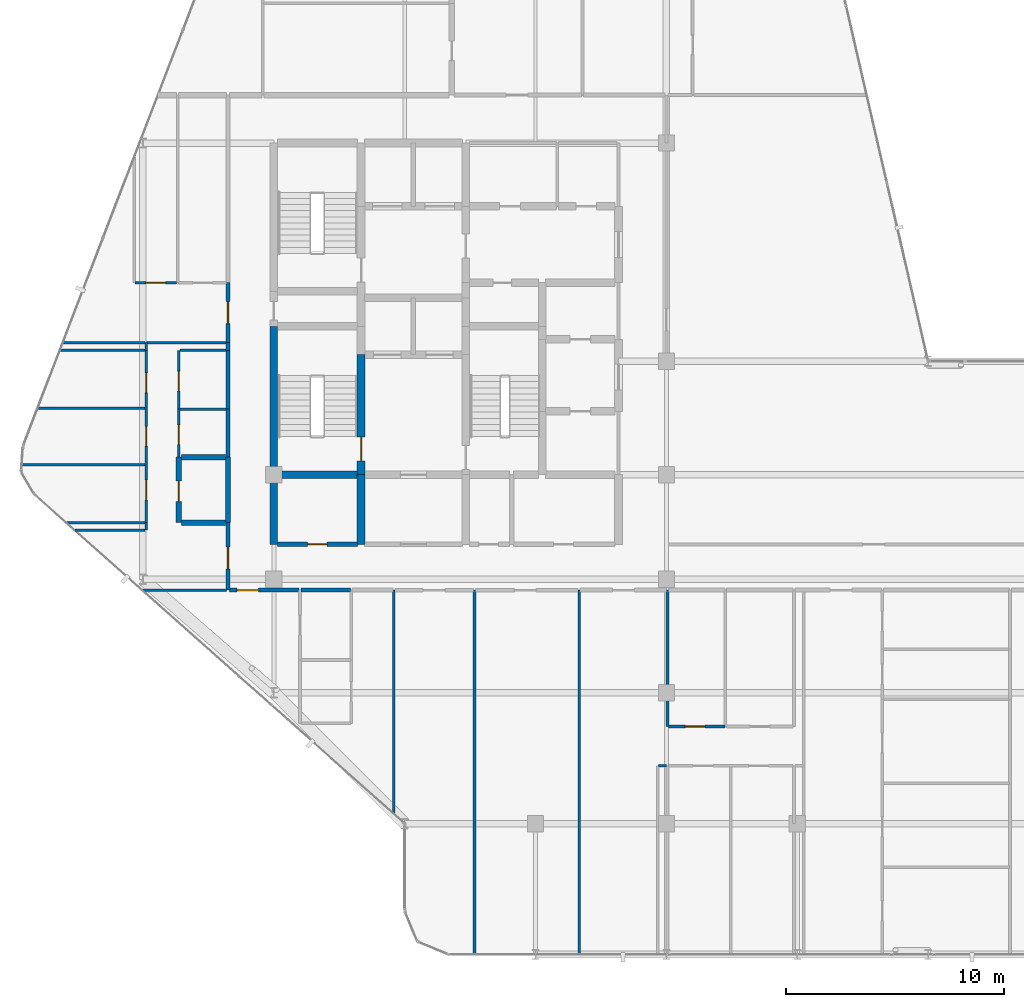
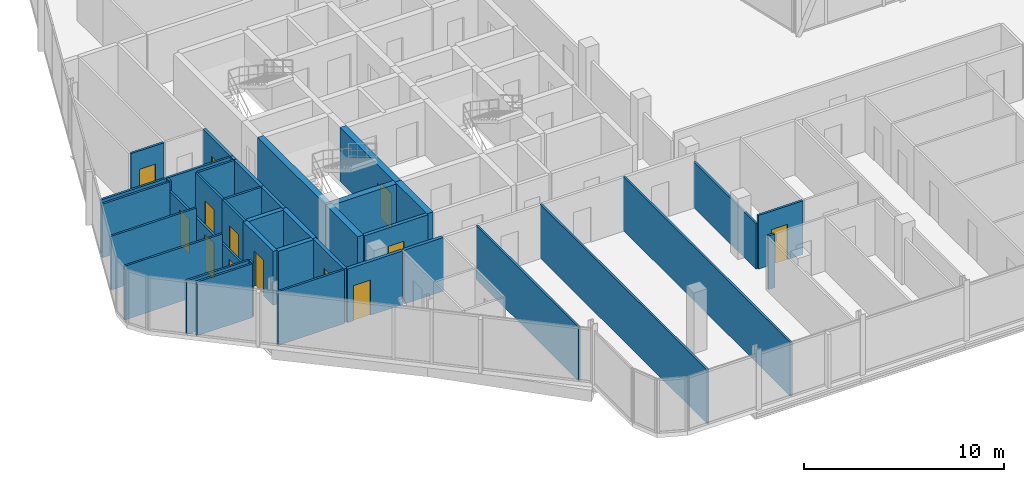
# One storey, part 23 of 28: 39 walls, 13 doors, 13 openings.
"""IFC4 building model written with IfcOpenShell, lengths in metres."""

from ifc_helpers import new_model, si_unit, direction, frame, frame_2d, origin, place, context, subcontext, project, spatial, rectangle, extrude, material, layer, layer_set, type_object, element, fill, save


model = new_model("IFC4")

# Units and contexts
model_context = context("Model", 3, precision=1e-05, world=origin(), true_north=direction((0.0, 1.0)))
body_context = subcontext(model_context, "Body", "Model", "MODEL_VIEW")
ifc_project = project(units=[si_unit("LENGTHUNIT", "METRE"), si_unit("AREAUNIT", "SQUARE_METRE"), si_unit("VOLUMEUNIT", "CUBIC_METRE"), si_unit("PLANEANGLEUNIT", "RADIAN"), si_unit("MASSUNIT", "GRAM", prefix="KILO")], contexts=[model_context])

# Site, building, storey
site_placement = place(None, origin())
site = spatial("IfcSite", under=ifc_project, at=site_placement, CompositionType="ELEMENT")
building_placement = place(site_placement, origin())
building = spatial("IfcBuilding", under=site, at=building_placement, Name="Keshet Zoharim Tower", CompositionType="ELEMENT")
storey_placement = place(building_placement, frame((0.0, 0.0, 233.89990234375)))
storey = spatial("IfcBuildingStorey", under=building, at=storey_placement, Name="L58", CompositionType="ELEMENT", Elevation=233.89990234375)

# Walls
ifc_material_1 = material(Name="Concrete C60/75", Category="concrete")
ifc_layer_1 = layer(ifc_material_1, 0.35009765625)
ifc_layer_set_1 = layer_set([ifc_layer_1], Name="Concrete C60/75")
wall_type_1 = type_object("IfcWallType", Name="WL-CORE-350", PredefinedType="SHEAR", material=ifc_layer_set_1)
wall_1_placement = place(storey_placement, frame((15.0, 19.5, 0.0), z_axis=(0.0, 0.0, 1.0), x_axis=(0.0, 1.0, 0.0)))
element("IfcWall", 1, at=wall_1_placement, inside=storey, type_object=wall_type_1, Name="L58 Core Shear Wall 018", PredefinedType="SHEAR", context=body_context, shape_type="SweptSolid", body=[
    extrude(rectangle(XDim=3.199951171875, YDim=0.35009765625, at=frame_2d((1.60009765625, 0.0))), origin(), (0.0, 0.0, 1.0), 3.280029296875),
])
wall_2_placement = place(storey_placement, frame((15.0, 22.699951171875, 0.0), z_axis=(0.0, 0.0, 1.0), x_axis=(0.0, 1.0, 0.0)))
element("IfcWall", 2, at=wall_2_placement, inside=storey, type_object=wall_type_1, Name="L58 Core Shear Wall 019", PredefinedType="SHEAR", context=body_context, shape_type="SweptSolid", body=[
    extrude(rectangle(XDim=6.800048828125, YDim=0.35009765625, at=frame_2d((3.39990234375, 0.0))), origin(), (0.0, 0.0, 1.0), 3.280029296875),
])
wall_3_placement = place(storey_placement, frame((19.0, 19.5, 0.0), z_axis=(0.0, 0.0, 1.0), x_axis=(0.0, 1.0, 0.0)))
element("IfcWall", 3, at=wall_3_placement, inside=storey, type_object=wall_type_1, Name="L58 Core Shear Wall 026", PredefinedType="SHEAR", context=body_context, shape_type="SweptSolid", body=[
    extrude(rectangle(XDim=3.199951171875, YDim=0.35009765625, at=frame_2d((1.60009765625, 0.0))), origin(), (0.0, 0.0, 1.0), 3.280029296875),
])

# Wall, opening, door
wall_4_placement = place(storey_placement, frame((19.0, 22.699951171875, 0.0), z_axis=(0.0, 0.0, 1.0), x_axis=(0.0, 1.0, 0.0)))
wall_4 = element("IfcWall", 4, at=wall_4_placement, inside=storey, type_object=wall_type_1, Name="L58 Core Shear Wall 027", PredefinedType="SHEAR", context=body_context, shape_type="SweptSolid", body=[
    extrude(rectangle(XDim=5.5, YDim=0.35009765625, at=frame_2d((2.75, 0.0))), origin(), (0.0, 0.0, 1.0), 3.280029296875),
])
opening_1_placement = place(wall_4_placement, frame((0.631103515625, 0.0, 0.0)))
opening_1 = element("IfcOpeningElement", 5, at=opening_1_placement, cuts=wall_4, Name="Opening D-F611", PredefinedType="OPENING", context=body_context, shape_type="SweptSolid", body=[
    extrude(rectangle(XDim=1.10009765625, YDim=2.14990234375, at=frame_2d((0.550048828125, 1.074951171875))), frame((0.0, 0.18505859375, 0.0), z_axis=(0.0, -1.0, 0.0), x_axis=(1.0, 0.0, 0.0)), (0.0, 0.0, 1.0), 0.3701171875),
])
ifc_material_2 = material(Name="Hardwood Timber", Category="wood")
door_type_1 = type_object("IfcDoorType", Name="DR-FD60-110", OperationType="NOTDEFINED", PredefinedType="DOOR", material=ifc_material_2)
door_1_placement = place(opening_1_placement, origin())
door_1 = element("IfcDoor", 6, at=door_1_placement, inside=storey, type_object=door_type_1, Name="L58 Exit Stair ST-01 Fire Door", OperationType="SINGLE_SWING_LEFT", OverallHeight=2.14990234375, OverallWidth=1.10009765625, PredefinedType="DOOR", context=body_context, shape_type="SweptSolid", body=[
    extrude(rectangle(XDim=1.10009765625, YDim=2.14990234375, at=frame_2d((0.550048828125, 1.074951171875))), frame((0.0, 0.02490234375, 0.0), z_axis=(0.0, -1.0, 0.0), x_axis=(1.0, 0.0, 0.0)), (0.0, 0.0, 1.0), 0.050048828125),
])
fill(opening_1, door_1)

# Wall
wall_5_placement = place(storey_placement, frame((15.159912109375, 22.699951171875, 0.0), z_axis=(0.0, 0.0, 1.0), x_axis=(1.0, 0.0, 0.0)))
element("IfcWall", 7, at=wall_5_placement, inside=storey, type_object=wall_type_1, Name="L58 Core Shear Wall 115", PredefinedType="SHEAR", context=body_context, shape_type="SweptSolid", body=[
    extrude(rectangle(XDim=3.68017578125, YDim=0.35009765625, at=frame_2d((1.840087890625, 0.0))), origin(), (0.0, 0.0, 1.0), 3.280029296875),
])

# Wall, opening, door
ifc_material_3 = material(Name="Gypsum Plasterboard", Category="gypsum")
ifc_layer_2 = layer(ifc_material_3, 0.179931640625)
ifc_layer_set_2 = layer_set([ifc_layer_2], Name="Gypsum Plasterboard")
wall_type_2 = type_object("IfcWallType", Name="WL-CORR-180", PredefinedType="STANDARD", material=ifc_layer_set_2)
wall_6_placement = place(storey_placement, frame((12.89990234375, 17.39990234375, 0.0), z_axis=(0.0, 0.0, 1.0), x_axis=(0.0, 1.0, 0.0)))
wall_6 = element("IfcWall", 8, at=wall_6_placement, inside=storey, type_object=wall_type_2, Name="L58 Interior Wall 009", PredefinedType="STANDARD", context=body_context, shape_type="SweptSolid", body=[
    extrude(rectangle(XDim=3.10009765625, YDim=0.179931640625, at=frame_2d((1.550048828125, 0.0))), origin(), (0.0, 0.0, 1.0), 3.280029296875),
])
opening_2_placement = place(wall_6_placement, frame((0.97802734375, 0.0, 0.0)))
opening_2 = element("IfcOpeningElement", 9, at=opening_2_placement, cuts=wall_6, Name="Opening D-F310", PredefinedType="OPENING", context=body_context, shape_type="SweptSolid", body=[
    extrude(rectangle(XDim=1.0, YDim=2.14990234375, at=frame_2d((0.5, 1.074951171875))), frame((0.0, 0.10009765625, 0.0), z_axis=(0.0, -1.0, 0.0), x_axis=(1.0, 0.0, 0.0)), (0.0, 0.0, 1.0), 0.199951171875),
])
door_type_2 = type_object("IfcDoorType", Name="DR-FD30-100", OperationType="NOTDEFINED", PredefinedType="DOOR", material=ifc_material_2)
door_2_placement = place(opening_2_placement, origin())
door_2 = element("IfcDoor", 10, at=door_2_placement, inside=storey, type_object=door_type_2, Name="Apartment 5806 Entrance Door", OperationType="SINGLE_SWING_RIGHT", OverallHeight=2.14990234375, OverallWidth=1.0, PredefinedType="DOOR", context=body_context, shape_type="SweptSolid", body=[
    extrude(rectangle(XDim=1.0, YDim=2.14990234375, at=frame_2d((0.5, 1.074951171875))), frame((0.0, 0.02490234375, 0.0), z_axis=(0.0, -1.0, 0.0), x_axis=(1.0, 0.0, 0.0)), (0.0, 0.0, 1.0), 0.050048828125),
])
fill(opening_2, door_2)

# Walls
wall_7_placement = place(storey_placement, frame((12.89990234375, 23.501953125, 0.0), z_axis=(0.0, 0.0, 1.0), x_axis=(0.0, 1.0, 0.0)))
element("IfcWall", 11, at=wall_7_placement, inside=storey, type_object=wall_type_2, Name="L58 Interior Wall 011", PredefinedType="STANDARD", context=body_context, shape_type="SweptSolid", body=[
    extrude(rectangle(XDim=2.212158203125, YDim=0.179931640625, at=frame_2d((1.10595703125, 0.0))), origin(), (0.0, 0.0, 1.0), 3.280029296875),
])
wall_8_placement = place(storey_placement, frame((12.89990234375, 25.714111328125, 0.0), z_axis=(0.0, 0.0, 1.0), x_axis=(0.0, 1.0, 0.0)))
element("IfcWall", 12, at=wall_8_placement, inside=storey, type_object=wall_type_2, Name="L58 Interior Wall 012", PredefinedType="STANDARD", context=body_context, shape_type="SweptSolid", body=[
    extrude(rectangle(XDim=2.685791015625, YDim=0.179931640625, at=frame_2d((1.3427734375, 0.0))), origin(), (0.0, 0.0, 1.0), 3.280029296875),
])
wall_9_placement = place(storey_placement, frame((12.89990234375, 28.39990234375, 0.0), z_axis=(0.0, 0.0, 1.0), x_axis=(0.0, 1.0, 0.0)))
element("IfcWall", 13, at=wall_9_placement, inside=storey, type_object=wall_type_2, Name="L58 Interior Wall 013", PredefinedType="STANDARD", context=body_context, shape_type="SweptSolid", body=[
    extrude(rectangle(XDim=0.35009765625, YDim=0.179931640625, at=frame_2d((0.175048828125, 0.0))), origin(), (0.0, 0.0, 1.0), 3.280029296875),
])

# Wall, opening, door
wall_10_placement = place(storey_placement, frame((12.89990234375, 28.75, 0.0), z_axis=(0.0, 0.0, 1.0), x_axis=(0.0, 1.0, 0.0)))
wall_10 = element("IfcWall", 14, at=wall_10_placement, inside=storey, type_object=wall_type_2, Name="L58 Interior Wall 014", PredefinedType="STANDARD", context=body_context, shape_type="SweptSolid", body=[
    extrude(rectangle(XDim=2.75, YDim=0.179931640625, at=frame_2d((1.375, 0.0))), origin(), (0.0, 0.0, 1.0), 3.280029296875),
])
opening_3_placement = place(wall_10_placement, frame((0.875, 0.0, 0.0)))
opening_3 = element("IfcOpeningElement", 15, at=opening_3_placement, cuts=wall_10, Name="Opening D-F310", PredefinedType="OPENING", context=body_context, shape_type="SweptSolid", body=[
    extrude(rectangle(XDim=1.0, YDim=2.14990234375, at=frame_2d((0.5, 1.074951171875))), frame((0.0, 0.10009765625, 0.0), z_axis=(0.0, -1.0, 0.0), x_axis=(1.0, 0.0, 0.0)), (0.0, 0.0, 1.0), 0.199951171875),
])
door_3_placement = place(opening_3_placement, origin())
door_3 = element("IfcDoor", 16, at=door_3_placement, inside=storey, type_object=door_type_2, Name="Apartment 5807 Entrance Door", OperationType="SINGLE_SWING_LEFT", OverallHeight=2.14990234375, OverallWidth=1.0, PredefinedType="DOOR", context=body_context, shape_type="SweptSolid", body=[
    extrude(rectangle(XDim=1.0, YDim=2.14990234375, at=frame_2d((0.5, 1.074951171875))), frame((0.0, 0.02490234375, 0.0), z_axis=(0.0, -1.0, 0.0), x_axis=(1.0, 0.0, 0.0)), (0.0, 0.0, 1.0), 0.050048828125),
])
fill(opening_3, door_3)

wall_11_placement = place(storey_placement, frame((12.97509765625, 17.39990234375, 0.0), z_axis=(0.0, 0.0, 1.0), x_axis=(1.0, 0.0, 0.0)))
wall_11 = element("IfcWall", 17, at=wall_11_placement, inside=storey, type_object=wall_type_2, Name="L58 Interior Wall 094", PredefinedType="STANDARD", context=body_context, shape_type="SweptSolid", body=[
    extrude(rectangle(XDim=3.179931640625, YDim=0.179931640625, at=frame_2d((1.58984375, 0.0))), origin(), (0.0, 0.0, 1.0), 3.280029296875),
])
opening_4_placement = place(wall_11_placement, frame((0.33203125, 0.0, 0.0)))
opening_4 = element("IfcOpeningElement", 18, at=opening_4_placement, cuts=wall_11, Name="Opening D-F310", PredefinedType="OPENING", context=body_context, shape_type="SweptSolid", body=[
    extrude(rectangle(XDim=1.0, YDim=2.14990234375, at=frame_2d((0.5, 1.074951171875))), frame((0.0, 0.10009765625, 0.0), z_axis=(0.0, -1.0, 0.0), x_axis=(1.0, 0.0, 0.0)), (0.0, 0.0, 1.0), 0.199951171875),
])
door_4_placement = place(opening_4_placement, origin())
door_4 = element("IfcDoor", 19, at=door_4_placement, inside=storey, type_object=door_type_2, Name="Apartment 5801 Entrance Door", OperationType="SINGLE_SWING_RIGHT", OverallHeight=2.14990234375, OverallWidth=1.0, PredefinedType="DOOR", context=body_context, shape_type="SweptSolid", body=[
    extrude(rectangle(XDim=1.0, YDim=2.14990234375, at=frame_2d((0.5, 1.074951171875))), frame((0.0, 0.02490234375, 0.0), z_axis=(0.0, -1.0, 0.0), x_axis=(1.0, 0.0, 0.0)), (0.0, 0.0, 1.0), 0.050048828125),
])
fill(opening_4, door_4)

# Wall
wall_12_placement = place(storey_placement, frame((16.2451171875, 17.39990234375, 0.0), z_axis=(0.0, 0.0, 1.0), x_axis=(1.0, 0.0, 0.0)))
element("IfcWall", 20, at=wall_12_placement, inside=storey, type_object=wall_type_2, Name="L58 Interior Wall 095", PredefinedType="STANDARD", context=body_context, shape_type="SweptSolid", body=[
    extrude(rectangle(XDim=2.259765625, YDim=0.179931640625, at=frame_2d((1.1298828125, 0.0))), origin(), (0.0, 0.0, 1.0), 3.280029296875),
])

# Wall, opening, door
ifc_material_4 = material(Name="Concrete C50/60", Category="concrete")
ifc_layer_3 = layer(ifc_material_4, 0.199951171875)
ifc_layer_set_3 = layer_set([ifc_layer_3], Name="Concrete C50/60")
wall_type_3 = type_object("IfcWallType", Name="WL-FIRE-200", PredefinedType="STANDARD", material=ifc_layer_set_3)
wall_13_placement = place(storey_placement, frame((15.159912109375, 19.5, 0.0), z_axis=(0.0, 0.0, 1.0), x_axis=(1.0, 0.0, 0.0)))
wall_13 = element("IfcWall", 21, at=wall_13_placement, inside=storey, type_object=wall_type_3, Name="L58 Interior Wall 107", PredefinedType="STANDARD", context=body_context, shape_type="SweptSolid", body=[
    extrude(rectangle(XDim=3.68017578125, YDim=0.199951171875, at=frame_2d((1.840087890625, 0.0))), origin(), (0.0, 0.0, 1.0), 3.280029296875),
])
opening_5_placement = place(wall_13_placement, frame((1.389892578125, 0.0, 0.0)))
opening_5 = element("IfcOpeningElement", 22, at=opening_5_placement, cuts=wall_13, Name="Opening D-F690", PredefinedType="OPENING", context=body_context, shape_type="SweptSolid", body=[
    extrude(rectangle(XDim=0.89990234375, YDim=2.14990234375, at=frame_2d((0.449951171875, 1.074951171875))), frame((0.0, 0.10986328125, 0.0), z_axis=(0.0, -1.0, 0.0), x_axis=(1.0, 0.0, 0.0)), (0.0, 0.0, 1.0), 0.219970703125),
])
door_type_3 = type_object("IfcDoorType", Name="DR-FD60-090", OperationType="NOTDEFINED", PredefinedType="DOOR", material=ifc_material_2)
door_5_placement = place(opening_5_placement, origin())
door_5 = element("IfcDoor", 23, at=door_5_placement, inside=storey, type_object=door_type_3, Name="L58 Refuse Room Door", OperationType="SINGLE_SWING_RIGHT", OverallHeight=2.14990234375, OverallWidth=0.89990234375, PredefinedType="DOOR", context=body_context, shape_type="SweptSolid", body=[
    extrude(rectangle(XDim=0.89990234375, YDim=2.14990234375, at=frame_2d((0.449951171875, 1.074951171875))), frame((0.0, 0.02490234375, 0.0), z_axis=(0.0, -1.0, 0.0), x_axis=(1.0, 0.0, 0.0)), (0.0, 0.0, 1.0), 0.050048828125),
])
fill(opening_5, door_5)

ifc_layer_4 = layer(ifc_material_4, 0.25)
ifc_layer_set_4 = layer_set([ifc_layer_4], Name="Concrete C50/60")
wall_type_4 = type_object("IfcWallType", Name="WL-MAMAD-250", PredefinedType="STANDARD", material=ifc_layer_set_4)
wall_14_placement = place(storey_placement, frame((10.64990234375, 20.5, 0.0), z_axis=(0.0, 0.0, 1.0), x_axis=(0.0, 1.0, 0.0)))
wall_14 = element("IfcWall", 24, at=wall_14_placement, inside=storey, type_object=wall_type_4, Name="L58 Interior Wall 006", PredefinedType="STANDARD", context=body_context, shape_type="SweptSolid", body=[
    extrude(rectangle(XDim=3.001953125, YDim=0.25, at=frame_2d((1.5009765625, 0.0))), origin(), (0.0, 0.0, 1.0), 3.280029296875),
])
opening_6_placement = place(wall_14_placement, frame((0.9560546875, 0.0, 0.0)))
opening_6 = element("IfcOpeningElement", 25, at=opening_6_placement, cuts=wall_14, Name="Opening D-F695", PredefinedType="OPENING", context=body_context, shape_type="SweptSolid", body=[
    extrude(rectangle(XDim=0.949951171875, YDim=2.14990234375, at=frame_2d((0.47509765625, 1.074951171875))), frame((0.0, 0.135009765625, 0.0), z_axis=(0.0, -1.0, 0.0), x_axis=(1.0, 0.0, 0.0)), (0.0, 0.0, 1.0), 0.27001953125),
])
door_type_4 = type_object("IfcDoorType", Name="DR-FD60-095", OperationType="NOTDEFINED", PredefinedType="DOOR", material=ifc_material_2)
door_6_placement = place(opening_6_placement, origin())
door_6 = element("IfcDoor", 26, at=door_6_placement, inside=storey, type_object=door_type_4, Name="Apartment 5806 Study and Shelter Room Door", OperationType="SINGLE_SWING_LEFT", OverallHeight=2.14990234375, OverallWidth=0.949951171875, PredefinedType="DOOR", context=body_context, shape_type="SweptSolid", body=[
    extrude(rectangle(XDim=0.949951171875, YDim=2.14990234375, at=frame_2d((0.47509765625, 1.074951171875))), frame((0.0, 0.02490234375, 0.0), z_axis=(0.0, -1.0, 0.0), x_axis=(1.0, 0.0, 0.0)), (0.0, 0.0, 1.0), 0.050048828125),
])
fill(opening_6, door_6)

# Walls
wall_15_placement = place(storey_placement, frame((12.89990234375, 20.5, 0.0), z_axis=(0.0, 0.0, 1.0), x_axis=(0.0, 1.0, 0.0)))
element("IfcWall", 27, at=wall_15_placement, inside=storey, type_object=wall_type_4, Name="L58 Interior Wall 010", PredefinedType="STANDARD", context=body_context, shape_type="SweptSolid", body=[
    extrude(rectangle(XDim=3.001953125, YDim=0.25, at=frame_2d((1.5009765625, 0.0))), origin(), (0.0, 0.0, 1.0), 3.280029296875),
])
for number, where, z_axis, x_axis, name in (
    (28, (10.760009765625, 20.5, 0.0), (0.0, 0.0, 1.0), (1.0, 0.0, 0.0), "L58 Interior Wall 114"),
    (29, (10.760009765625, 23.5, 0.0), (0.0, 0.0, 1.0), (1.0, 0.0, 0.0), "L58 Interior Wall 121"),
):
    element("IfcWall", number, at=place(storey_placement, frame(where, z_axis=z_axis, x_axis=x_axis)), inside=storey, type_object=wall_type_4, Name=name, PredefinedType="STANDARD", context=body_context, shape_type="SweptSolid", body=[
        extrude(rectangle(XDim=2.030029296875, YDim=0.25, at=frame_2d((1.01513671875, 0.0))), origin(), (0.0, 0.0, 1.0), 3.280029296875),
    ])
ifc_layer_5 = layer(ifc_material_3, 0.1201171875)
ifc_layer_set_5 = layer_set([ifc_layer_5], Name="Gypsum Plasterboard")
wall_type_5 = type_object("IfcWallType", Name="WL-PART-120", PredefinedType="PARTITIONING", material=ifc_layer_set_5)
wall_16_placement = place(storey_placement, frame((9.14990234375, 20.14990234375, 0.0), z_axis=(0.0, 0.0, 1.0), x_axis=(0.0, 1.0, 0.0)))
element("IfcWall", 30, at=wall_16_placement, inside=storey, type_object=wall_type_5, Name="L58 Interior Wall 002", PredefinedType="PARTITIONING", context=body_context, shape_type="SweptSolid", body=[
    extrude(rectangle(XDim=0.35009765625, YDim=0.1201171875, at=frame_2d((0.175048828125, 0.0))), origin(), (0.0, 0.0, 1.0), 3.280029296875),
])

# Wall, openings, doors
wall_17_placement = place(storey_placement, frame((9.14990234375, 20.5, 0.0), z_axis=(0.0, 0.0, 1.0), x_axis=(0.0, 1.0, 0.0)))
wall_17 = element("IfcWall", 31, at=wall_17_placement, inside=storey, type_object=wall_type_5, Name="L58 Interior Wall 003", PredefinedType="PARTITIONING", context=body_context, shape_type="SweptSolid", body=[
    extrude(rectangle(XDim=7.89990234375, YDim=0.1201171875, at=frame_2d((3.949951171875, 0.0))), origin(), (0.0, 0.0, 1.0), 2.68017578125),
])
opening_7_placement = place(wall_17_placement, frame((1.041015625, 0.0, 0.0)))
opening_7 = element("IfcOpeningElement", 32, at=opening_7_placement, cuts=wall_17, Name="Opening D-IN90", PredefinedType="OPENING", context=body_context, shape_type="SweptSolid", body=[
    extrude(rectangle(XDim=0.89990234375, YDim=2.14990234375, at=frame_2d((0.449951171875, 1.074951171875))), frame((0.0, 0.070068359375, 0.0), z_axis=(0.0, -1.0, 0.0), x_axis=(1.0, 0.0, 0.0)), (0.0, 0.0, 1.0), 0.14013671875),
])
opening_8_placement = place(wall_17_placement, frame((3.5, 0.0, 0.0)))
opening_8 = element("IfcOpeningElement", 33, at=opening_8_placement, cuts=wall_17, Name="Opening D-IN90", PredefinedType="OPENING", context=body_context, shape_type="SweptSolid", body=[
    extrude(rectangle(XDim=0.89990234375, YDim=2.14990234375, at=frame_2d((0.449951171875, 1.074951171875))), frame((0.0, 0.070068359375, 0.0), z_axis=(0.0, -1.0, 0.0), x_axis=(1.0, 0.0, 0.0)), (0.0, 0.0, 1.0), 0.14013671875),
])
opening_9_placement = place(wall_17_placement, frame((5.958984375, 0.0, 0.0)))
opening_9 = element("IfcOpeningElement", 34, at=opening_9_placement, cuts=wall_17, Name="Opening D-IN90", PredefinedType="OPENING", context=body_context, shape_type="SweptSolid", body=[
    extrude(rectangle(XDim=0.89990234375, YDim=2.14990234375, at=frame_2d((0.449951171875, 1.074951171875))), frame((0.0, 0.070068359375, 0.0), z_axis=(0.0, -1.0, 0.0), x_axis=(1.0, 0.0, 0.0)), (0.0, 0.0, 1.0), 0.14013671875),
])
door_type_5 = type_object("IfcDoorType", Name="DR-INT-090", OperationType="NOTDEFINED", PredefinedType="DOOR", material=ifc_material_2)
door_7_placement = place(opening_7_placement, origin())
door_7 = element("IfcDoor", 35, at=door_7_placement, inside=storey, type_object=door_type_5, Name="Apartment 5806 Bedroom 1 Door", OperationType="SINGLE_SWING_RIGHT", OverallHeight=2.14990234375, OverallWidth=0.89990234375, PredefinedType="DOOR", context=body_context, shape_type="SweptSolid", body=[
    extrude(rectangle(XDim=0.89990234375, YDim=2.14990234375, at=frame_2d((0.449951171875, 1.074951171875))), frame((0.0, 0.02490234375, 0.0), z_axis=(0.0, -1.0, 0.0), x_axis=(1.0, 0.0, 0.0)), (0.0, 0.0, 1.0), 0.050048828125),
])
fill(opening_7, door_7)
door_8_placement = place(opening_8_placement, origin())
door_8 = element("IfcDoor", 36, at=door_8_placement, inside=storey, type_object=door_type_5, Name="Apartment 5806 Bedroom 2 Door", OperationType="SINGLE_SWING_LEFT", OverallHeight=2.14990234375, OverallWidth=0.89990234375, PredefinedType="DOOR", context=body_context, shape_type="SweptSolid", body=[
    extrude(rectangle(XDim=0.89990234375, YDim=2.14990234375, at=frame_2d((0.449951171875, 1.074951171875))), frame((0.0, 0.02490234375, 0.0), z_axis=(0.0, -1.0, 0.0), x_axis=(1.0, 0.0, 0.0)), (0.0, 0.0, 1.0), 0.050048828125),
])
fill(opening_8, door_8)
door_9_placement = place(opening_9_placement, origin())
door_9 = element("IfcDoor", 37, at=door_9_placement, inside=storey, type_object=door_type_5, Name="Apartment 5806 Bedroom 3 Door", OperationType="SINGLE_SWING_RIGHT", OverallHeight=2.14990234375, OverallWidth=0.89990234375, PredefinedType="DOOR", context=body_context, shape_type="SweptSolid", body=[
    extrude(rectangle(XDim=0.89990234375, YDim=2.14990234375, at=frame_2d((0.449951171875, 1.074951171875))), frame((0.0, 0.02490234375, 0.0), z_axis=(0.0, -1.0, 0.0), x_axis=(1.0, 0.0, 0.0)), (0.0, 0.0, 1.0), 0.050048828125),
])
fill(opening_9, door_9)

# Wall
wall_18_placement = place(storey_placement, frame((9.14990234375, 28.39990234375, 0.0), z_axis=(0.0, 0.0, 1.0), x_axis=(0.0, 1.0, 0.0)))
element("IfcWall", 38, at=wall_18_placement, inside=storey, type_object=wall_type_5, Name="L58 Interior Wall 004", PredefinedType="PARTITIONING", context=body_context, shape_type="SweptSolid", body=[
    extrude(rectangle(XDim=0.35009765625, YDim=0.1201171875, at=frame_2d((0.175048828125, 0.0))), origin(), (0.0, 0.0, 1.0), 3.280029296875),
])

# Wall, opening, door
wall_19_placement = place(storey_placement, frame((10.64990234375, 25.714111328125, 0.0), z_axis=(0.0, 0.0, 1.0), x_axis=(0.0, 1.0, 0.0)))
wall_19 = element("IfcWall", 39, at=wall_19_placement, inside=storey, type_object=wall_type_5, Name="L58 Interior Wall 008", PredefinedType="PARTITIONING", context=body_context, shape_type="SweptSolid", body=[
    extrude(rectangle(XDim=2.685791015625, YDim=0.1201171875, at=frame_2d((1.3427734375, 0.0))), origin(), (0.0, 0.0, 1.0), 3.280029296875),
])
opening_10_placement = place(wall_19_placement, frame((0.822021484375, 0.0, 0.0)))
opening_10 = element("IfcOpeningElement", 40, at=opening_10_placement, cuts=wall_19, Name="Opening D-IN90", PredefinedType="OPENING", context=body_context, shape_type="SweptSolid", body=[
    extrude(rectangle(XDim=0.89990234375, YDim=2.14990234375, at=frame_2d((0.449951171875, 1.074951171875))), frame((0.0, 0.070068359375, 0.0), z_axis=(0.0, -1.0, 0.0), x_axis=(1.0, 0.0, 0.0)), (0.0, 0.0, 1.0), 0.14013671875),
])
door_10_placement = place(opening_10_placement, origin())
door_10 = element("IfcDoor", 41, at=door_10_placement, inside=storey, type_object=door_type_5, Name="Apartment 5806 Kitchen Door", OperationType="SINGLE_SWING_LEFT", OverallHeight=2.14990234375, OverallWidth=0.89990234375, PredefinedType="DOOR", context=body_context, shape_type="SweptSolid", body=[
    extrude(rectangle(XDim=0.89990234375, YDim=2.14990234375, at=frame_2d((0.449951171875, 1.074951171875))), frame((0.0, 0.02490234375, 0.0), z_axis=(0.0, -1.0, 0.0), x_axis=(1.0, 0.0, 0.0)), (0.0, 0.0, 1.0), 0.050048828125),
])
fill(opening_10, door_10)

# Walls
wall_20_placement = place(storey_placement, frame((20.5, 7.154052734375, 0.0), z_axis=(0.0, 0.0, 1.0), x_axis=(0.0, 1.0, 0.0)))
element("IfcWall", 42, at=wall_20_placement, inside=storey, type_object=wall_type_5, Name="L58 Interior Wall 031", PredefinedType="PARTITIONING", context=body_context, shape_type="SweptSolid", body=[
    extrude(rectangle(XDim=10.245849609375, YDim=0.1201171875, at=frame_2d((5.123046875, 0.0))), origin(), (0.0, 0.0, 1.0), 3.280029296875),
])
for number, where, z_axis, x_axis, name in (
    (43, (24.199951171875, 0.7099609375, 0.0), (0.0, 0.0, 1.0), (0.0, 1.0, 0.0), "L58 Interior Wall 044"),
    (44, (29.0, 0.7099609375, 0.0), (0.0, 0.0, 1.0), (0.0, 1.0, 0.0), "L58 Interior Wall 051"),
):
    element("IfcWall", number, at=place(storey_placement, frame(where, z_axis=z_axis, x_axis=x_axis)), inside=storey, type_object=wall_type_5, Name=name, PredefinedType="PARTITIONING", context=body_context, shape_type="SweptSolid", body=[
        extrude(rectangle(XDim=16.68994140625, YDim=0.1201171875, at=frame_2d((8.344970703125, 0.0))), origin(), (0.0, 0.0, 1.0), 3.280029296875),
    ])
wall_21_placement = place(storey_placement, frame((33.050048828125, 11.14990234375, 0.0), z_axis=(0.0, 0.0, 1.0), x_axis=(0.0, 1.0, 0.0)))
element("IfcWall", 45, at=wall_21_placement, inside=storey, type_object=wall_type_5, Name="L58 Interior Wall 062", PredefinedType="PARTITIONING", context=body_context, shape_type="SweptSolid", body=[
    extrude(rectangle(XDim=6.25, YDim=0.1201171875, at=frame_2d((3.125, 0.0))), origin(), (0.0, 0.0, 1.0), 2.780029296875),
])
wall_22_placement = place(storey_placement, frame((32.64501953125, 9.35009765625, 0.0), z_axis=(0.0, 0.0, 1.0), x_axis=(1.0, 0.0, 0.0)))
element("IfcWall", 46, at=wall_22_placement, inside=storey, type_object=wall_type_5, Name="L58 Interior Wall 082", PredefinedType="PARTITIONING", context=body_context, shape_type="SweptSolid", body=[
    extrude(rectangle(XDim=0.35986328125, YDim=0.1201171875, at=frame_2d((0.179931640625, 0.0))), origin(), (0.0, 0.0, 1.0), 3.280029296875),
])

# Wall, opening, door
wall_23_placement = place(storey_placement, frame((33.094970703125, 11.14990234375, 0.0), z_axis=(0.0, 0.0, 1.0), x_axis=(1.0, 0.0, 0.0)))
wall_23 = element("IfcWall", 47, at=wall_23_placement, inside=storey, type_object=wall_type_5, Name="L58 Interior Wall 085", PredefinedType="PARTITIONING", context=body_context, shape_type="SweptSolid", body=[
    extrude(rectangle(XDim=2.578125, YDim=0.1201171875, at=frame_2d((1.2890625, 0.0))), origin(), (0.0, 0.0, 1.0), 3.280029296875),
])
opening_11_placement = place(wall_23_placement, frame((0.76904296875, 0.0, 0.0)))
opening_11 = element("IfcOpeningElement", 48, at=opening_11_placement, cuts=wall_23, Name="Opening D-IN90", PredefinedType="OPENING", context=body_context, shape_type="SweptSolid", body=[
    extrude(rectangle(XDim=0.89990234375, YDim=2.14990234375, at=frame_2d((0.449951171875, 1.074951171875))), frame((0.0, 0.070068359375, 0.0), z_axis=(0.0, -1.0, 0.0), x_axis=(1.0, 0.0, 0.0)), (0.0, 0.0, 1.0), 0.14013671875),
])
door_11_placement = place(opening_11_placement, origin())
door_11 = element("IfcDoor", 49, at=door_11_placement, inside=storey, type_object=door_type_5, Name="Apartment 5802 Kitchen Door", OperationType="SINGLE_SWING_RIGHT", OverallHeight=2.14990234375, OverallWidth=0.89990234375, PredefinedType="DOOR", context=body_context, shape_type="SweptSolid", body=[
    extrude(rectangle(XDim=0.89990234375, YDim=2.14990234375, at=frame_2d((0.449951171875, 1.074951171875))), frame((0.0, 0.02490234375, 0.0), z_axis=(0.0, -1.0, 0.0), x_axis=(1.0, 0.0, 0.0)), (0.0, 0.0, 1.0), 0.050048828125),
])
fill(opening_11, door_11)

# Walls
wall_24_placement = place(storey_placement, frame((8.971923828125, 17.39990234375, 0.0), z_axis=(0.0, 0.0, 1.0), x_axis=(1.0, 0.0, 0.0)))
element("IfcWall", 50, at=wall_24_placement, inside=storey, type_object=wall_type_5, Name="L58 Interior Wall 093", PredefinedType="PARTITIONING", context=body_context, shape_type="SweptSolid", body=[
    extrude(rectangle(XDim=3.85302734375, YDim=0.1201171875, at=frame_2d((1.926513671875, 0.0))), origin(), (0.0, 0.0, 1.0), 3.280029296875),
])
wall_25_placement = place(storey_placement, frame((5.87890625, 20.14990234375, 0.0), z_axis=(0.0, 0.0, 1.0), x_axis=(1.0, 0.0, 0.0)))
element("IfcWall", 51, at=wall_25_placement, inside=storey, type_object=wall_type_5, Name="L58 Interior Wall 112", PredefinedType="PARTITIONING", context=body_context, shape_type="SweptSolid", body=[
    extrude(rectangle(XDim=3.2060546875, YDim=0.1201171875, at=frame_2d((1.60302734375, 0.0))), origin(), (0.0, 0.0, 1.0), 3.280029296875),
])
wall_26_placement = place(storey_placement, frame((5.485107421875, 20.5, 0.0), z_axis=(0.0, 0.0, 1.0), x_axis=(1.0, 0.0, 0.0)))
element("IfcWall", 52, at=wall_26_placement, inside=storey, type_object=wall_type_5, Name="L58 Interior Wall 113", PredefinedType="PARTITIONING", context=body_context, shape_type="SweptSolid", body=[
    extrude(rectangle(XDim=3.599853515625, YDim=0.1201171875, at=frame_2d((1.7998046875, 0.0))), origin(), (0.0, 0.0, 1.0), 3.280029296875),
])
wall_27_placement = place(storey_placement, frame((3.451904296875, 23.14990234375, 0.0), z_axis=(0.0, 0.0, 1.0), x_axis=(1.0, 0.0, 0.0)))
element("IfcWall", 53, at=wall_27_placement, inside=storey, type_object=wall_type_5, Name="L58 Interior Wall 120", PredefinedType="PARTITIONING", context=body_context, shape_type="SweptSolid", body=[
    extrude(rectangle(XDim=5.633056640625, YDim=0.1201171875, at=frame_2d((2.81640625, 0.0))), origin(), (0.0, 0.0, 1.0), 3.280029296875),
])
wall_28_placement = place(storey_placement, frame((4.18310546875, 25.75, 0.0), z_axis=(0.0, 0.0, 1.0), x_axis=(1.0, 0.0, 0.0)))
element("IfcWall", 54, at=wall_28_placement, inside=storey, type_object=wall_type_5, Name="L58 Interior Wall 124", PredefinedType="PARTITIONING", context=body_context, shape_type="SweptSolid", body=[
    extrude(rectangle(XDim=4.90185546875, YDim=0.1201171875, at=frame_2d((2.450927734375, 0.0))), origin(), (0.0, 0.0, 1.0), 3.280029296875),
])
wall_29_placement = place(storey_placement, frame((5.201904296875, 28.39990234375, 0.0), z_axis=(0.0, 0.0, 1.0), x_axis=(1.0, 0.0, 0.0)))
element("IfcWall", 55, at=wall_29_placement, inside=storey, type_object=wall_type_5, Name="L58 Interior Wall 126", PredefinedType="PARTITIONING", context=body_context, shape_type="SweptSolid", body=[
    extrude(rectangle(XDim=3.883056640625, YDim=0.1201171875, at=frame_2d((1.94140625, 0.0))), origin(), (0.0, 0.0, 1.0), 3.280029296875),
])
wall_30_placement = place(storey_placement, frame((10.695068359375, 28.39990234375, 0.0), z_axis=(0.0, 0.0, 1.0), x_axis=(1.0, 0.0, 0.0)))
element("IfcWall", 56, at=wall_30_placement, inside=storey, type_object=wall_type_5, Name="L58 Interior Wall 127", PredefinedType="PARTITIONING", context=body_context, shape_type="SweptSolid", body=[
    extrude(rectangle(XDim=2.1298828125, YDim=0.1201171875, at=frame_2d((1.06494140625, 0.0))), origin(), (0.0, 0.0, 1.0), 3.280029296875),
])
wall_31_placement = place(storey_placement, frame((5.3369140625, 28.75, 0.0), z_axis=(0.0, 0.0, 1.0), x_axis=(1.0, 0.0, 0.0)))
element("IfcWall", 57, at=wall_31_placement, inside=storey, type_object=wall_type_5, Name="L58 Interior Wall 128", PredefinedType="PARTITIONING", context=body_context, shape_type="SweptSolid", body=[
    extrude(rectangle(XDim=3.748046875, YDim=0.1201171875, at=frame_2d((1.8740234375, 0.0))), origin(), (0.0, 0.0, 1.0), 3.280029296875),
])
wall_32_placement = place(storey_placement, frame((9.175048828125, 28.75, 0.0), z_axis=(0.0, 0.0, 1.0), x_axis=(1.0, 0.0, 0.0)))
element("IfcWall", 58, at=wall_32_placement, inside=storey, type_object=wall_type_5, Name="L58 Interior Wall 129", PredefinedType="PARTITIONING", context=body_context, shape_type="SweptSolid", body=[
    extrude(rectangle(XDim=3.64990234375, YDim=0.1201171875, at=frame_2d((1.824951171875, 0.0))), origin(), (0.0, 0.0, 1.0), 3.280029296875),
])

# Wall, opening, door
wall_33_placement = place(storey_placement, frame((8.64501953125, 31.5, 0.0), z_axis=(0.0, 0.0, 1.0), x_axis=(1.0, 0.0, 0.0)))
wall_33 = element("IfcWall", 59, at=wall_33_placement, inside=storey, type_object=wall_type_5, Name="L58 Interior Wall 135", PredefinedType="PARTITIONING", context=body_context, shape_type="SweptSolid", body=[
    extrude(rectangle(XDim=1.887939453125, YDim=0.1201171875, at=frame_2d((0.94384765625, 0.0))), origin(), (0.0, 0.0, 1.0), 3.280029296875),
])
opening_12_placement = place(wall_33_placement, frame((0.493896484375, 0.0, 0.0)))
opening_12 = element("IfcOpeningElement", 60, at=opening_12_placement, cuts=wall_33, Name="Opening D-IN90", PredefinedType="OPENING", context=body_context, shape_type="SweptSolid", body=[
    extrude(rectangle(XDim=0.89990234375, YDim=2.14990234375, at=frame_2d((0.449951171875, 1.074951171875))), frame((0.0, 0.070068359375, 0.0), z_axis=(0.0, -1.0, 0.0), x_axis=(1.0, 0.0, 0.0)), (0.0, 0.0, 1.0), 0.14013671875),
])
door_12_placement = place(opening_12_placement, origin())
door_12 = element("IfcDoor", 61, at=door_12_placement, inside=storey, type_object=door_type_5, Name="Apartment 5807 Kitchen Door", OperationType="SINGLE_SWING_RIGHT", OverallHeight=2.14990234375, OverallWidth=0.89990234375, PredefinedType="DOOR", context=body_context, shape_type="SweptSolid", body=[
    extrude(rectangle(XDim=0.89990234375, YDim=2.14990234375, at=frame_2d((0.449951171875, 1.074951171875))), frame((0.0, 0.02490234375, 0.0), z_axis=(0.0, -1.0, 0.0), x_axis=(1.0, 0.0, 0.0)), (0.0, 0.0, 1.0), 0.050048828125),
])
fill(opening_12, door_12)

ifc_layer_6 = layer(ifc_material_3, 0.1201171875)
ifc_layer_set_6 = layer_set([ifc_layer_6], Name="Gypsum Plasterboard")
wall_type_6 = type_object("IfcWallType", Name="WL-WET-120", PredefinedType="PARTITIONING", material=ifc_layer_set_6)
wall_34_placement = place(storey_placement, frame((10.64990234375, 23.501953125, 0.0), z_axis=(0.0, 0.0, 1.0), x_axis=(0.0, 1.0, 0.0)))
wall_34 = element("IfcWall", 62, at=wall_34_placement, inside=storey, type_object=wall_type_6, Name="L58 Interior Wall 007", PredefinedType="PARTITIONING", context=body_context, shape_type="SweptSolid", body=[
    extrude(rectangle(XDim=2.212158203125, YDim=0.1201171875, at=frame_2d((1.10595703125, 0.0))), origin(), (0.0, 0.0, 1.0), 3.280029296875),
])
opening_13_placement = place(wall_34_placement, frame((0.577880859375, 0.0, 0.0)))
opening_13 = element("IfcOpeningElement", 63, at=opening_13_placement, cuts=wall_34, Name="Opening D-WT90", PredefinedType="OPENING", context=body_context, shape_type="SweptSolid", body=[
    extrude(rectangle(XDim=0.89990234375, YDim=2.10009765625, at=frame_2d((0.449951171875, 1.050048828125))), frame((0.0, 0.070068359375, 0.0), z_axis=(0.0, -1.0, 0.0), x_axis=(1.0, 0.0, 0.0)), (0.0, 0.0, 1.0), 0.14013671875),
])
door_type_6 = type_object("IfcDoorType", Name="DR-WET-090", OperationType="NOTDEFINED", PredefinedType="DOOR", material=ifc_material_2)
door_13_placement = place(opening_13_placement, origin())
door_13 = element("IfcDoor", 64, at=door_13_placement, inside=storey, type_object=door_type_6, Name="Apartment 5806 Bathroom Door", OperationType="SINGLE_SWING_RIGHT", OverallHeight=2.10009765625, OverallWidth=0.89990234375, PredefinedType="DOOR", context=body_context, shape_type="SweptSolid", body=[
    extrude(rectangle(XDim=0.89990234375, YDim=2.10009765625, at=frame_2d((0.449951171875, 1.050048828125))), frame((0.0, 0.02490234375, 0.0), z_axis=(0.0, -1.0, 0.0), x_axis=(1.0, 0.0, 0.0)), (0.0, 0.0, 1.0), 0.050048828125),
])
fill(opening_13, door_13)

# Wall
wall_35_placement = place(storey_placement, frame((10.695068359375, 25.699951171875, 0.0), z_axis=(0.0, 0.0, 1.0), x_axis=(1.0, 0.0, 0.0)))
element("IfcWall", 65, at=wall_35_placement, inside=storey, type_object=wall_type_6, Name="L58 Interior Wall 123", PredefinedType="PARTITIONING", context=body_context, shape_type="SweptSolid", body=[
    extrude(rectangle(XDim=2.1298828125, YDim=0.1201171875, at=frame_2d((1.06494140625, 0.0))), origin(), (0.0, 0.0, 1.0), 3.280029296875),
])

save(model, "model.ifc")
